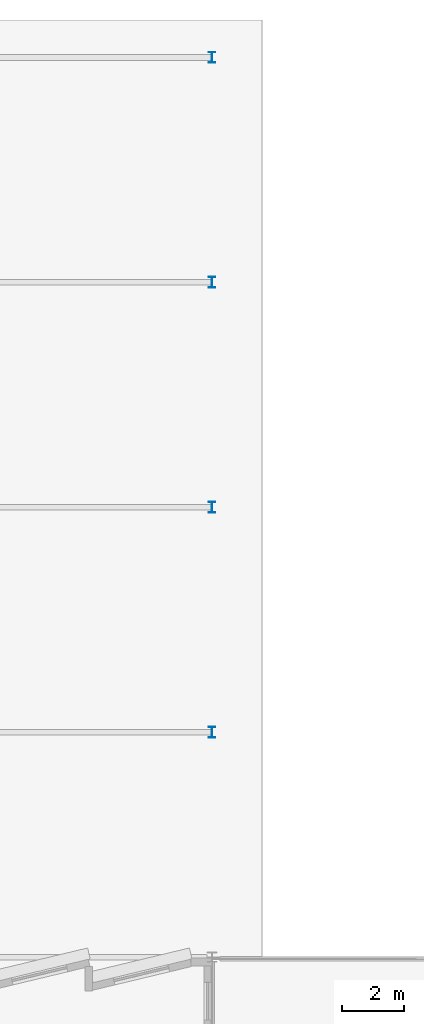
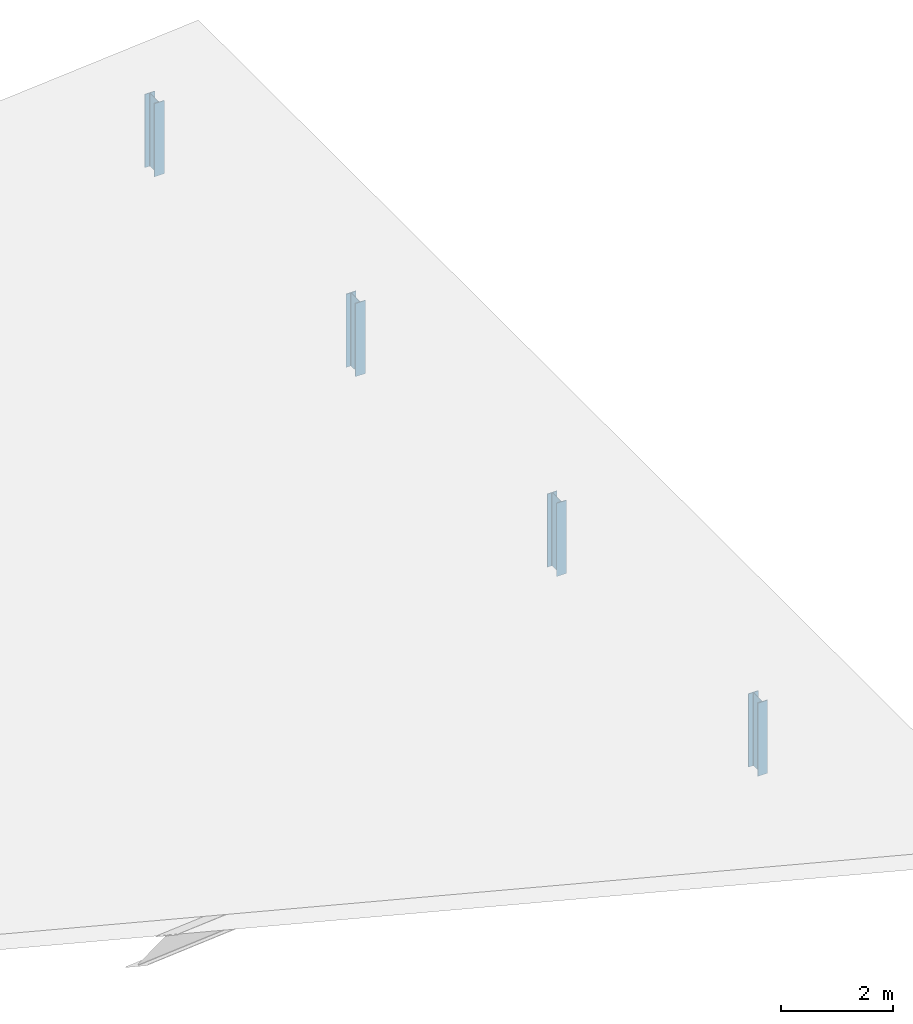
# One storey, part 3 of 9: 4 columns.
"""IFC4 building model written with IfcOpenShell, lengths in metres."""

from ifc_helpers import new_model, si_unit, direction, frame, origin, origin_2d, place, context, subcontext, project, spatial, i_section, extrude, material, material_profile, profile_set, type_object, element, save


model = new_model("IFC4")

# Units and contexts
model_context = context("Model", 3, precision=1e-05, world=origin(), true_north=direction((0.0, 1.0)))
body_context = subcontext(model_context, "Body", "Model", "MODEL_VIEW")
ifc_project = project(units=[si_unit("LENGTHUNIT", "METRE"), si_unit("AREAUNIT", "SQUARE_METRE"), si_unit("VOLUMEUNIT", "CUBIC_METRE"), si_unit("PLANEANGLEUNIT", "RADIAN"), si_unit("MASSUNIT", "GRAM", prefix="KILO")], contexts=[model_context])

# Site, building, storey
site_placement = place(None, origin())
site = spatial("IfcSite", under=ifc_project, at=site_placement, CompositionType="ELEMENT")
building_placement = place(site_placement, origin())
building = spatial("IfcBuilding", under=site, at=building_placement, Name="Kalmorath City Hall", CompositionType="ELEMENT")
storey_placement = place(building_placement, frame((0.0, 0.0, 31.050048828125)))
storey = spatial("IfcBuildingStorey", under=building, at=storey_placement, Name="L07", CompositionType="ELEMENT", Elevation=31.050048828125)

# Columns
ifc_material = material(Name="Steel ASTM A992 Grade 50", Category="steel")
ifc_material_profile = material_profile(ifc_material, i_section(OverallWidth=0.2041015625, OverallDepth=0.35009765625, WebThickness=0.008544921875, FlangeThickness=0.01513671875, FilletRadius=0.014892578125, at=origin_2d()), Name="W14X48")
ifc_profile_set = profile_set([ifc_material_profile], Name="Steel ASTM A992 Grade 50")
column_type = type_object("IfcColumnType", Name="Steel wide-flange column W14X48", PredefinedType="COLUMN", material=ifc_profile_set)
for number, where, z_axis, x_axis, name in (
    (1, (21.60009765625, 43.199951171875, 0.0), (0.0, 0.0, 1.0), (1.0, 0.0, 0.0), "L07 upper wing ridge post SC6-1"),
    (2, (21.60009765625, 50.39990234375, 0.0), (0.0, 0.0, 1.0), (1.0, 0.0, 0.0), "L07 upper wing ridge post SC6-2"),
    (3, (21.60009765625, 57.60009765625, 0.0), (0.0, 0.0, 1.0), (1.0, 0.0, 0.0), "L07 upper wing ridge post SC6-3"),
    (4, (21.60009765625, 64.800048828125, 0.0), (0.0, 0.0, 1.0), (1.0, 0.0, 0.0), "L07 upper wing ridge post SC6-4"),
):
    element("IfcColumn", number, at=place(storey_placement, frame(where, z_axis=z_axis, x_axis=x_axis)), inside=storey, type_object=column_type, Name=name, PredefinedType="COLUMN", context=body_context, shape_type="SweptSolid", body=[
        extrude(i_section(OverallWidth=0.2041015625, OverallDepth=0.35009765625, WebThickness=0.008544921875, FlangeThickness=0.01513671875, FilletRadius=0.014892578125, at=origin_2d()), origin(), (0.0, 0.0, 1.0), 1.599853515625),
    ])

save(model, "model.ifc")
